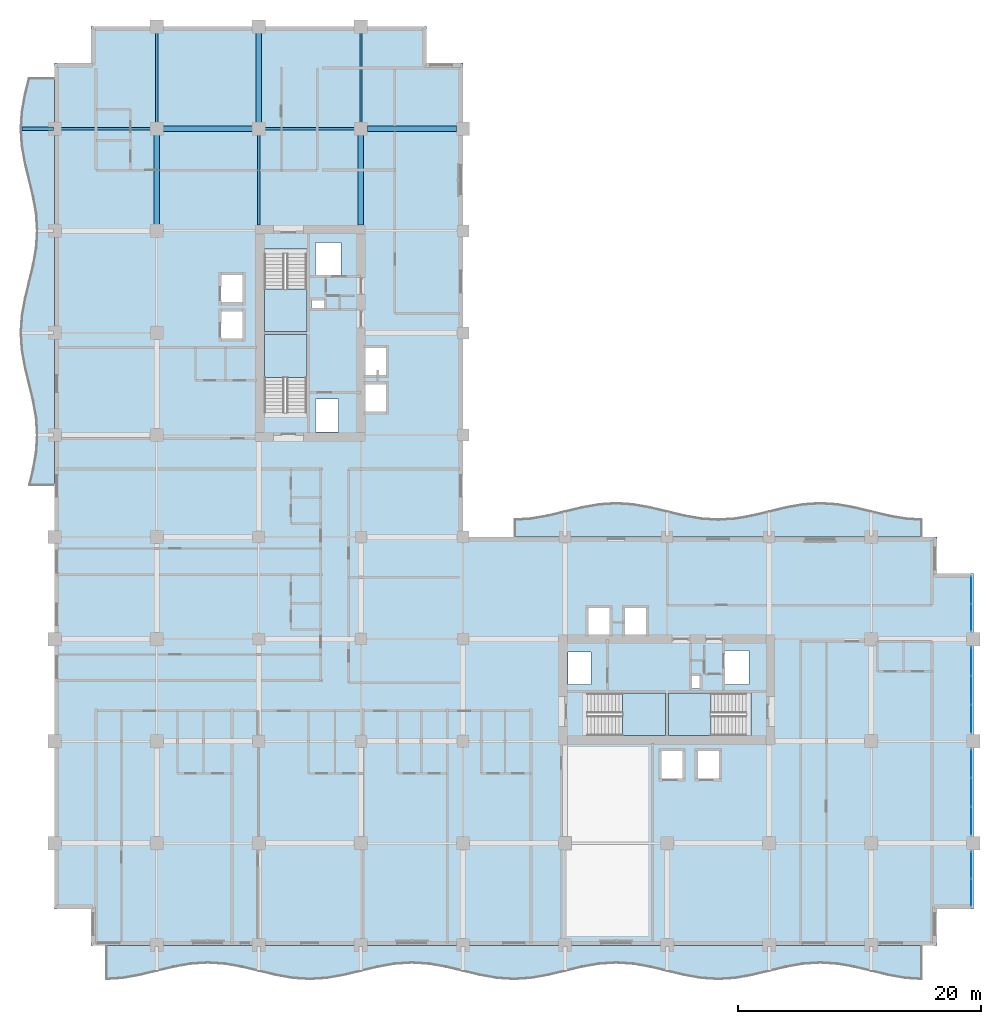
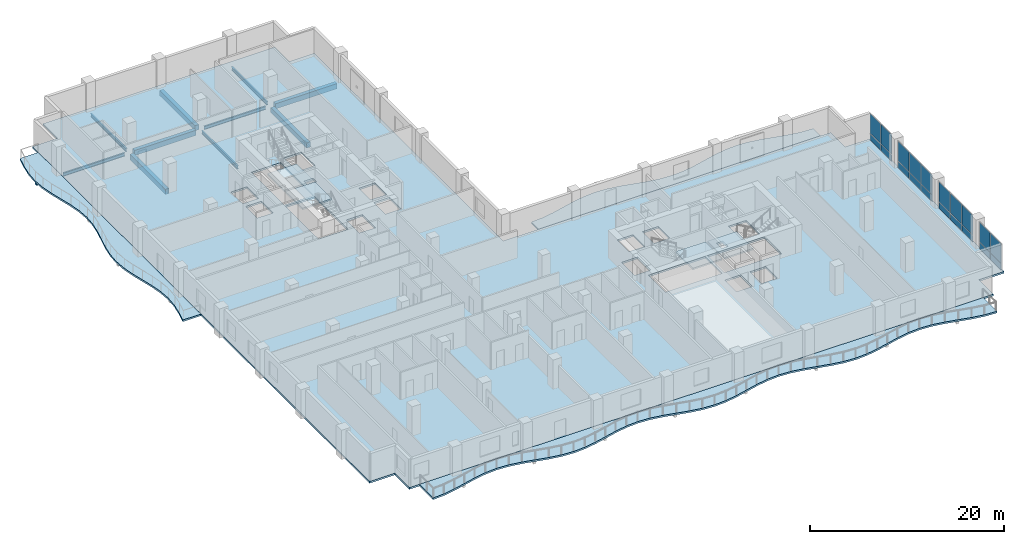
# One storey, part 8 of 22: 20 plates, 11 beams, 8 slabs, 8 elements without a shape of their own.
"""IFC4 building model written with IfcOpenShell, lengths in metres."""

from ifc_helpers import new_model, si_unit, direction, frame, origin, origin_2d, place, context, subcontext, project, spatial, polyline, rectangle, i_section, outline, extrude, material, layer, layer_set, material_profile, profile_set, type_object, element, aggregate, save


model = new_model("IFC4")

# Units and contexts
model_context = context("Model", 3, precision=1e-05, world=origin(), true_north=direction((0.0, 1.0)))
body_context = subcontext(model_context, "Body", "Model", "MODEL_VIEW")
ifc_project = project(units=[si_unit("LENGTHUNIT", "METRE"), si_unit("AREAUNIT", "SQUARE_METRE"), si_unit("VOLUMEUNIT", "CUBIC_METRE"), si_unit("PLANEANGLEUNIT", "RADIAN"), si_unit("MASSUNIT", "GRAM", prefix="KILO")], contexts=[model_context])

# Site, building, storey
site_placement = place(None, origin())
site = spatial("IfcSite", under=ifc_project, at=site_placement, CompositionType="ELEMENT")
building_placement = place(site_placement, origin())
building = spatial("IfcBuilding", under=site, at=building_placement, Name="Koriwani Terraces Tower", CompositionType="ELEMENT")
storey_placement = place(building_placement, frame((0.0, 0.0, 182.800048828125)))
storey = spatial("IfcBuildingStorey", under=building, at=storey_placement, Name="L44", CompositionType="ELEMENT", Elevation=182.800048828125)

# Beams
ifc_material_1 = material(Name="Concrete C40/50", Category="concrete")
ifc_material_profile_1 = material_profile(ifc_material_1, rectangle(XDim=0.300048828125, YDim=0.39990234375, at=origin_2d()), Name="Concrete C40/50", Category="LoadBearing")
ifc_profile_set_1 = profile_set([ifc_material_profile_1], Name="Concrete C40/50")
beam_type_1 = type_object("IfcBeamType", Name="BEAM_RC_BALCONY_RIB_300X400", PredefinedType="JOIST", material=ifc_profile_set_1)
beam_1_placement = place(storey_placement, frame((-2.699951171875, 67.199951171875, -0.429931640625), z_axis=(1.0, 0.0, 0.0), x_axis=(0.0, 1.0, 0.0)))
element("IfcBeam", 1, at=beam_1_placement, inside=storey, type_object=beam_type_1, Name="L44 Balcony Bracket Rib W-4", PredefinedType="JOIST", context=body_context, shape_type="SweptSolid", body=[
    extrude(rectangle(XDim=0.300048828125, YDim=0.39990234375, at=origin_2d()), origin(), (0.0, 0.0, 1.0), 2.599853515625),
])
ifc_material_2 = material(Name="Concrete C50/60", Category="concrete")
ifc_material_profile_2 = material_profile(ifc_material_2, rectangle(XDim=0.449951171875, YDim=0.64990234375, at=origin_2d()), Name="Concrete C50/60", Category="LoadBearing")
ifc_profile_set_2 = profile_set([ifc_material_profile_2], Name="Concrete C50/60")
beam_type_2 = type_object("IfcBeamType", Name="BEAM_RC_GRID_450X650", PredefinedType="BEAM", material=ifc_profile_set_2)
for number, where, z_axis, x_axis, name in (
    (2, (8.929931640625, 67.199951171875, -0.554931640625), (1.0, 0.0, 0.0), (0.0, 1.0, 0.0), "L44 Grid Beam I (8.4-16.8m)"),
    (3, (25.72998046875, 67.199951171875, -0.554931640625), (1.0, 0.0, 0.0), (0.0, 1.0, 0.0), "L44 Grid Beam I (25.2-33.6m)"),
):
    element("IfcBeam", number, at=place(storey_placement, frame(where, z_axis=z_axis, x_axis=x_axis)), inside=storey, type_object=beam_type_2, Name=name, PredefinedType="BEAM", context=body_context, shape_type="SweptSolid", body=[
        extrude(rectangle(XDim=0.449951171875, YDim=0.64990234375, at=origin_2d()), origin(), (0.0, 0.0, 1.0), 7.340087890625),
    ])
beam_2_placement = place(storey_placement, frame((8.39990234375, 59.330078125, -0.554931640625), z_axis=(0.0, 1.0, 0.0), x_axis=(-1.0, 0.0, 0.0)))
element("IfcBeam", 4, at=beam_2_placement, inside=storey, type_object=beam_type_2, Name="L44 Grid Beam 2 (58.8-67.2m)", PredefinedType="BEAM", context=body_context, shape_type="SweptSolid", body=[
    extrude(rectangle(XDim=0.449951171875, YDim=0.64990234375, at=origin_2d()), origin(), (0.0, 0.0, 1.0), 7.33984375),
])
beam_3_placement = place(storey_placement, frame((16.800048828125, 67.72998046875, -0.554931640625), z_axis=(0.0, 1.0, 0.0), x_axis=(-1.0, 0.0, 0.0)))
element("IfcBeam", 5, at=beam_3_placement, inside=storey, type_object=beam_type_2, Name="L44 Grid Beam 3 (67.2-75.6m)", PredefinedType="BEAM", context=body_context, shape_type="SweptSolid", body=[
    extrude(rectangle(XDim=0.449951171875, YDim=0.64990234375, at=origin_2d()), origin(), (0.0, 0.0, 1.0), 7.340087890625),
])
beam_4_placement = place(storey_placement, frame((25.199951171875, 59.280029296875, -0.554931640625), z_axis=(0.0, 1.0, 0.0), x_axis=(-1.0, 0.0, 0.0)))
element("IfcBeam", 6, at=beam_4_placement, inside=storey, type_object=beam_type_2, Name="L44 Grid Beam 4 (58.8-67.2m)", PredefinedType="BEAM", context=body_context, shape_type="SweptSolid", body=[
    extrude(rectangle(XDim=0.449951171875, YDim=0.64990234375, at=origin_2d()), origin(), (0.0, 0.0, 1.0), 7.389892578125),
])
ifc_material_3 = material(Name="Steel ASTM A572 Grade 50", Category="steel")
ifc_material_profile_3 = material_profile(ifc_material_3, i_section(OverallWidth=0.180908203125, OverallDepth=0.4169921875, WebThickness=0.010986328125, FlangeThickness=0.018310546875, at=origin_2d()), Name="Steel ASTM A572 Grade 50", Category="LoadBearing")
ifc_profile_set_3 = profile_set([ifc_material_profile_3], Name="Steel ASTM A572 Grade 50")
beam_type_3 = type_object("IfcBeamType", Name="STEEL_BEAM_W410X85", PredefinedType="JOIST", material=ifc_profile_set_3)
beam_5_placement = place(storey_placement, frame((0.530029296875, 67.199951171875, -0.4384765625), z_axis=(1.0, 0.0, 0.0), x_axis=(0.0, 1.0, 0.0)))
element("IfcBeam", 7, at=beam_5_placement, inside=storey, type_object=beam_type_3, Name="L44 Grid Beam I (0.0-8.4m)", PredefinedType="JOIST", context=body_context, shape_type="SweptSolid", body=[
    extrude(i_section(OverallWidth=0.180908203125, OverallDepth=0.4169921875, WebThickness=0.010986328125, FlangeThickness=0.018310546875, at=origin_2d()), origin(), (0.0, 0.0, 1.0), 7.340087890625),
])
beam_6_placement = place(storey_placement, frame((17.330078125, 67.199951171875, -0.4384765625), z_axis=(1.0, 0.0, 0.0), x_axis=(0.0, 1.0, 0.0)))
element("IfcBeam", 8, at=beam_6_placement, inside=storey, type_object=beam_type_3, Name="L44 Grid Beam I (16.8-25.2m)", PredefinedType="JOIST", context=body_context, shape_type="SweptSolid", body=[
    extrude(i_section(OverallWidth=0.180908203125, OverallDepth=0.4169921875, WebThickness=0.010986328125, FlangeThickness=0.018310546875, at=origin_2d()), origin(), (0.0, 0.0, 1.0), 7.33984375),
])
beam_7_placement = place(storey_placement, frame((8.39990234375, 67.72998046875, -0.4384765625), z_axis=(0.0, 1.0, 0.0), x_axis=(-1.0, 0.0, 0.0)))
element("IfcBeam", 9, at=beam_7_placement, inside=storey, type_object=beam_type_3, Name="L44 Grid Beam 2 (67.2-75.6m)", PredefinedType="JOIST", context=body_context, shape_type="SweptSolid", body=[
    extrude(i_section(OverallWidth=0.180908203125, OverallDepth=0.4169921875, WebThickness=0.010986328125, FlangeThickness=0.018310546875, at=origin_2d()), origin(), (0.0, 0.0, 1.0), 7.340087890625),
])
beam_8_placement = place(storey_placement, frame((16.800048828125, 59.280029296875, -0.4384765625), z_axis=(0.0, 1.0, 0.0), x_axis=(-1.0, 0.0, 0.0)))
element("IfcBeam", 10, at=beam_8_placement, inside=storey, type_object=beam_type_3, Name="L44 Grid Beam 3 (58.8-67.2m)", PredefinedType="JOIST", context=body_context, shape_type="SweptSolid", body=[
    extrude(i_section(OverallWidth=0.180908203125, OverallDepth=0.4169921875, WebThickness=0.010986328125, FlangeThickness=0.018310546875, at=origin_2d()), origin(), (0.0, 0.0, 1.0), 7.389892578125),
])
beam_9_placement = place(storey_placement, frame((25.199951171875, 67.72998046875, -0.4384765625), z_axis=(0.0, 1.0, 0.0), x_axis=(-1.0, 0.0, 0.0)))
element("IfcBeam", 11, at=beam_9_placement, inside=storey, type_object=beam_type_3, Name="L44 Grid Beam 4 (67.2-75.6m)", PredefinedType="JOIST", context=body_context, shape_type="SweptSolid", body=[
    extrude(i_section(OverallWidth=0.180908203125, OverallDepth=0.4169921875, WebThickness=0.010986328125, FlangeThickness=0.018310546875, at=origin_2d()), origin(), (0.0, 0.0, 1.0), 7.340087890625),
])

# Curtain wall, plates
ifc_material_4 = material(Name="Anodised Bronze Aluminium", Category="aluminium")
ifc_layer_1 = layer(ifc_material_4, 0.169921875, Name="Anodised Bronze Aluminium")
ifc_layer_set_1 = layer_set([ifc_layer_1], Name="Anodised Bronze Aluminium")
curtain_wall_type = type_object("IfcCurtainWallType", Name="CW_RES_ZONE3", PredefinedType="NOTDEFINED", material=ifc_layer_set_1)
curtain_wall_1_placement = place(storey_placement, origin())
curtain_wall_1 = element("IfcCurtainWall", 12, at=curtain_wall_1_placement, inside=storey, type_object=curtain_wall_type, Name="L44 Unitised Curtain Wall (E_TIP) Bay 1", PredefinedType="NOTDEFINED")
ifc_material_5 = material(Name="Tempered Laminated Low-E Glass", Category="glass")
ifc_layer_2 = layer(ifc_material_5, 0.028076171875, Name="Tempered Laminated Low-E Glass")
ifc_layer_set_2 = layer_set([ifc_layer_2], Name="Tempered Laminated Low-E Glass")
plate_type = type_object("IfcPlateType", Name="CW_PANEL_VISION_28", PredefinedType="CURTAIN_PANEL", material=ifc_layer_set_2)
plate_1_placement = place(storey_placement, frame((75.425048828125, 29.25244140625, 0.06494140625), z_axis=(0.0, 0.0, 1.0), x_axis=(0.0, -1.0, 0.0)))
plate_1 = element("IfcPlate", 13, at=plate_1_placement, type_object=plate_type, Name="CW-Z3 panel 1.1", PredefinedType="CURTAIN_PANEL", context=body_context, shape_type="SweptSolid", body=[
    extrude(rectangle(XDim=2.195068359375, YDim=0.028076171875, at=origin_2d()), origin(), (0.0, 0.0, 1.0), 0.802490234375),
])
plate_2_placement = place(storey_placement, frame((75.425048828125, 29.25244140625, 0.9326171875), z_axis=(0.0, 0.0, 1.0), x_axis=(0.0, -1.0, 0.0)))
plate_2 = element("IfcPlate", 14, at=plate_2_placement, type_object=plate_type, Name="CW-Z3 panel 1.2", PredefinedType="CURTAIN_PANEL", context=body_context, shape_type="SweptSolid", body=[
    extrude(rectangle(XDim=2.195068359375, YDim=0.028076171875, at=origin_2d()), origin(), (0.0, 0.0, 1.0), 2.472412109375),
])
plate_3_placement = place(storey_placement, frame((75.425048828125, 26.982421875, 0.06494140625), z_axis=(0.0, 0.0, 1.0), x_axis=(0.0, -1.0, 0.0)))
plate_3 = element("IfcPlate", 15, at=plate_3_placement, type_object=plate_type, Name="CW-Z3 panel 2.1", PredefinedType="CURTAIN_PANEL", context=body_context, shape_type="SweptSolid", body=[
    extrude(rectangle(XDim=2.195068359375, YDim=0.028076171875, at=origin_2d()), origin(), (0.0, 0.0, 1.0), 0.802490234375),
])
plate_4_placement = place(storey_placement, frame((75.425048828125, 26.982421875, 0.9326171875), z_axis=(0.0, 0.0, 1.0), x_axis=(0.0, -1.0, 0.0)))
plate_4 = element("IfcPlate", 16, at=plate_4_placement, type_object=plate_type, Name="CW-Z3 panel 2.2", PredefinedType="CURTAIN_PANEL", context=body_context, shape_type="SweptSolid", body=[
    extrude(rectangle(XDim=2.195068359375, YDim=0.028076171875, at=origin_2d()), origin(), (0.0, 0.0, 1.0), 2.472412109375),
])
aggregate(curtain_wall_1, [plate_1, plate_2, plate_3, plate_4])

curtain_wall_2_placement = place(storey_placement, origin())
curtain_wall_2 = element("IfcCurtainWall", 17, at=curtain_wall_2_placement, inside=storey, type_object=curtain_wall_type, Name="L44 Unitised Curtain Wall (E_TIP) Bay 2", PredefinedType="NOTDEFINED")
plate_5_placement = place(storey_placement, frame((75.425048828125, 23.37451171875, 0.06494140625), z_axis=(0.0, 0.0, 1.0), x_axis=(0.0, -1.0, 0.0)))
plate_5 = element("IfcPlate", 18, at=plate_5_placement, type_object=plate_type, Name="CW-Z3 panel 1.1", PredefinedType="CURTAIN_PANEL", context=body_context, shape_type="SweptSolid", body=[
    extrude(rectangle(XDim=2.28076171875, YDim=0.028076171875, at=origin_2d()), origin(), (0.0, 0.0, 1.0), 0.802490234375),
])
plate_6_placement = place(storey_placement, frame((75.425048828125, 23.37451171875, 0.9326171875), z_axis=(0.0, 0.0, 1.0), x_axis=(0.0, -1.0, 0.0)))
plate_6 = element("IfcPlate", 19, at=plate_6_placement, type_object=plate_type, Name="CW-Z3 panel 1.2", PredefinedType="CURTAIN_PANEL", context=body_context, shape_type="SweptSolid", body=[
    extrude(rectangle(XDim=2.28076171875, YDim=0.028076171875, at=origin_2d()), origin(), (0.0, 0.0, 1.0), 2.472412109375),
])
plate_7_placement = place(storey_placement, frame((75.425048828125, 21.0, 0.06494140625), z_axis=(0.0, 0.0, 1.0), x_axis=(0.0, -1.0, 0.0)))
plate_7 = element("IfcPlate", 20, at=plate_7_placement, type_object=plate_type, Name="CW-Z3 panel 2.1", PredefinedType="CURTAIN_PANEL", context=body_context, shape_type="SweptSolid", body=[
    extrude(rectangle(XDim=2.318359375, YDim=0.028076171875, at=origin_2d()), origin(), (0.0, 0.0, 1.0), 0.802490234375),
])
plate_8_placement = place(storey_placement, frame((75.425048828125, 21.0, 0.9326171875), z_axis=(0.0, 0.0, 1.0), x_axis=(0.0, -1.0, 0.0)))
plate_8 = element("IfcPlate", 21, at=plate_8_placement, type_object=plate_type, Name="CW-Z3 panel 2.2", PredefinedType="CURTAIN_PANEL", context=body_context, shape_type="SweptSolid", body=[
    extrude(rectangle(XDim=2.318359375, YDim=0.028076171875, at=origin_2d()), origin(), (0.0, 0.0, 1.0), 2.472412109375),
])
plate_9_placement = place(storey_placement, frame((75.425048828125, 18.62548828125, 0.06494140625), z_axis=(0.0, 0.0, 1.0), x_axis=(0.0, -1.0, 0.0)))
plate_9 = element("IfcPlate", 22, at=plate_9_placement, type_object=plate_type, Name="CW-Z3 panel 3.1", PredefinedType="CURTAIN_PANEL", context=body_context, shape_type="SweptSolid", body=[
    extrude(rectangle(XDim=2.28076171875, YDim=0.028076171875, at=origin_2d()), origin(), (0.0, 0.0, 1.0), 0.802490234375),
])
plate_10_placement = place(storey_placement, frame((75.425048828125, 18.62548828125, 0.9326171875), z_axis=(0.0, 0.0, 1.0), x_axis=(0.0, -1.0, 0.0)))
plate_10 = element("IfcPlate", 23, at=plate_10_placement, type_object=plate_type, Name="CW-Z3 panel 3.2", PredefinedType="CURTAIN_PANEL", context=body_context, shape_type="SweptSolid", body=[
    extrude(rectangle(XDim=2.28076171875, YDim=0.028076171875, at=origin_2d()), origin(), (0.0, 0.0, 1.0), 2.472412109375),
])
aggregate(curtain_wall_2, [plate_5, plate_6, plate_7, plate_8, plate_9, plate_10])

curtain_wall_3_placement = place(storey_placement, origin())
curtain_wall_3 = element("IfcCurtainWall", 24, at=curtain_wall_3_placement, inside=storey, type_object=curtain_wall_type, Name="L44 Unitised Curtain Wall (E_TIP) Bay 3", PredefinedType="NOTDEFINED")
plate_11_placement = place(storey_placement, frame((75.425048828125, 14.974609375, 0.06494140625), z_axis=(0.0, 0.0, 1.0), x_axis=(0.0, -1.0, 0.0)))
plate_11 = element("IfcPlate", 25, at=plate_11_placement, type_object=plate_type, Name="CW-Z3 panel 1.1", PredefinedType="CURTAIN_PANEL", context=body_context, shape_type="SweptSolid", body=[
    extrude(rectangle(XDim=2.28076171875, YDim=0.028076171875, at=origin_2d()), origin(), (0.0, 0.0, 1.0), 0.802490234375),
])
plate_12_placement = place(storey_placement, frame((75.425048828125, 14.974609375, 0.9326171875), z_axis=(0.0, 0.0, 1.0), x_axis=(0.0, -1.0, 0.0)))
plate_12 = element("IfcPlate", 26, at=plate_12_placement, type_object=plate_type, Name="CW-Z3 panel 1.2", PredefinedType="CURTAIN_PANEL", context=body_context, shape_type="SweptSolid", body=[
    extrude(rectangle(XDim=2.28076171875, YDim=0.028076171875, at=origin_2d()), origin(), (0.0, 0.0, 1.0), 2.472412109375),
])
plate_13_placement = place(storey_placement, frame((75.425048828125, 12.60009765625, 0.06494140625), z_axis=(0.0, 0.0, 1.0), x_axis=(0.0, -1.0, 0.0)))
plate_13 = element("IfcPlate", 27, at=plate_13_placement, type_object=plate_type, Name="CW-Z3 panel 2.1", PredefinedType="CURTAIN_PANEL", context=body_context, shape_type="SweptSolid", body=[
    extrude(rectangle(XDim=2.318359375, YDim=0.028076171875, at=origin_2d()), origin(), (0.0, 0.0, 1.0), 0.802490234375),
])
plate_14_placement = place(storey_placement, frame((75.425048828125, 12.60009765625, 0.9326171875), z_axis=(0.0, 0.0, 1.0), x_axis=(0.0, -1.0, 0.0)))
plate_14 = element("IfcPlate", 28, at=plate_14_placement, type_object=plate_type, Name="CW-Z3 panel 2.2", PredefinedType="CURTAIN_PANEL", context=body_context, shape_type="SweptSolid", body=[
    extrude(rectangle(XDim=2.318359375, YDim=0.028076171875, at=origin_2d()), origin(), (0.0, 0.0, 1.0), 2.472412109375),
])
plate_15_placement = place(storey_placement, frame((75.425048828125, 10.225341796875, 0.06494140625), z_axis=(0.0, 0.0, 1.0), x_axis=(0.0, -1.0, 0.0)))
plate_15 = element("IfcPlate", 29, at=plate_15_placement, type_object=plate_type, Name="CW-Z3 panel 3.1", PredefinedType="CURTAIN_PANEL", context=body_context, shape_type="SweptSolid", body=[
    extrude(rectangle(XDim=2.28076171875, YDim=0.028076171875, at=origin_2d()), origin(), (0.0, 0.0, 1.0), 0.802490234375),
])
plate_16_placement = place(storey_placement, frame((75.425048828125, 10.225341796875, 0.9326171875), z_axis=(0.0, 0.0, 1.0), x_axis=(0.0, -1.0, 0.0)))
plate_16 = element("IfcPlate", 30, at=plate_16_placement, type_object=plate_type, Name="CW-Z3 panel 3.2", PredefinedType="CURTAIN_PANEL", context=body_context, shape_type="SweptSolid", body=[
    extrude(rectangle(XDim=2.28076171875, YDim=0.028076171875, at=origin_2d()), origin(), (0.0, 0.0, 1.0), 2.472412109375),
])
aggregate(curtain_wall_3, [plate_11, plate_12, plate_13, plate_14, plate_15, plate_16])

curtain_wall_4_placement = place(storey_placement, origin())
curtain_wall_4 = element("IfcCurtainWall", 31, at=curtain_wall_4_placement, inside=storey, type_object=curtain_wall_type, Name="L44 Unitised Curtain Wall (E_TIP) Bay 4", PredefinedType="NOTDEFINED")
plate_17_placement = place(storey_placement, frame((75.425048828125, 6.617431640625, 0.06494140625), z_axis=(0.0, 0.0, 1.0), x_axis=(0.0, -1.0, 0.0)))
plate_17 = element("IfcPlate", 32, at=plate_17_placement, type_object=plate_type, Name="CW-Z3 panel 1.1", PredefinedType="CURTAIN_PANEL", context=body_context, shape_type="SweptSolid", body=[
    extrude(rectangle(XDim=2.195068359375, YDim=0.028076171875, at=origin_2d()), origin(), (0.0, 0.0, 1.0), 0.802490234375),
])
plate_18_placement = place(storey_placement, frame((75.425048828125, 6.617431640625, 0.9326171875), z_axis=(0.0, 0.0, 1.0), x_axis=(0.0, -1.0, 0.0)))
plate_18 = element("IfcPlate", 33, at=plate_18_placement, type_object=plate_type, Name="CW-Z3 panel 1.2", PredefinedType="CURTAIN_PANEL", context=body_context, shape_type="SweptSolid", body=[
    extrude(rectangle(XDim=2.195068359375, YDim=0.028076171875, at=origin_2d()), origin(), (0.0, 0.0, 1.0), 2.472412109375),
])
plate_19_placement = place(storey_placement, frame((75.425048828125, 4.347412109375, 0.06494140625), z_axis=(0.0, 0.0, 1.0), x_axis=(0.0, -1.0, 0.0)))
plate_19 = element("IfcPlate", 34, at=plate_19_placement, type_object=plate_type, Name="CW-Z3 panel 2.1", PredefinedType="CURTAIN_PANEL", context=body_context, shape_type="SweptSolid", body=[
    extrude(rectangle(XDim=2.195068359375, YDim=0.028076171875, at=origin_2d()), origin(), (0.0, 0.0, 1.0), 0.802490234375),
])
plate_20_placement = place(storey_placement, frame((75.425048828125, 4.347412109375, 0.9326171875), z_axis=(0.0, 0.0, 1.0), x_axis=(0.0, -1.0, 0.0)))
plate_20 = element("IfcPlate", 35, at=plate_20_placement, type_object=plate_type, Name="CW-Z3 panel 2.2", PredefinedType="CURTAIN_PANEL", context=body_context, shape_type="SweptSolid", body=[
    extrude(rectangle(XDim=2.195068359375, YDim=0.028076171875, at=origin_2d()), origin(), (0.0, 0.0, 1.0), 2.472412109375),
])
aggregate(curtain_wall_4, [plate_17, plate_18, plate_19, plate_20])

# Slabs
ifc_layer_3 = layer(ifc_material_1, 0.219970703125, Name="Concrete C40/50")
ifc_layer_set_3 = layer_set([ifc_layer_3], Name="Concrete C40/50")
slab_type_1 = type_object("IfcSlabType", Name="SLAB_BALCONY_220", PredefinedType="FLOOR", material=ifc_layer_set_3)
slab_1_placement = place(storey_placement, frame((0.0, 0.0, -0.219970703125)))
element("IfcSlab", 36, at=slab_1_placement, inside=storey, type_object=slab_type_1, Name="L44 Quilted Circular-Arc Balcony (S)", PredefinedType="FLOOR", context=body_context, shape_type="SweptSolid", body=[
    extrude(outline(polyline([(4.199951171875, 0.0), (5.60009765625, 0.0), (7.0, 0.0), (8.39990234375, 0.0), (9.800048828125, 0.0), (11.199951171875, 0.0), (12.60009765625, 0.0), (14.0, 0.0), (15.39990234375, 0.0), (16.800048828125, 0.0), (18.199951171875, 0.0), (19.60009765625, 0.0), (21.0, 0.0), (22.39990234375, 0.0), (23.800048828125, 0.0), (25.199951171875, 0.0), (26.60009765625, 0.0), (28.0, 0.0), (29.39990234375, 0.0), (30.800048828125, 0.0), (32.199951171875, 0.0), (33.60009765625, 0.0), (35.0, 0.0), (36.39990234375, 0.0), (37.800048828125, 0.0), (39.199951171875, 0.0), (40.60009765625, 0.0), (42.0, 0.0), (43.39990234375, 0.0), (44.800048828125, 0.0), (46.199951171875, 0.0), (47.60009765625, 0.0), (49.0, 0.0), (50.39990234375, 0.0), (51.800048828125, 0.0), (53.199951171875, 0.0), (54.60009765625, 0.0), (56.0, 0.0), (57.39990234375, 0.0), (58.800048828125, 0.0), (60.199951171875, 0.0), (61.60009765625, 0.0), (63.0, 0.0), (64.39990234375, 0.0), (65.800048828125, 0.0), (67.199951171875, 0.0), (68.60009765625, 0.0), (70.0, 0.0), (71.39990234375, 0.0), (71.39990234375, -2.85009765625), (70.0, -2.759521484375), (68.60009765625, -2.512451171875), (67.199951171875, -2.175048828125), (65.800048828125, -1.83740234375), (64.39990234375, -1.59033203125), (63.0, -1.5), (61.60009765625, -1.59033203125), (60.199951171875, -1.83740234375), (58.800048828125, -2.175048828125), (57.39990234375, -2.512451171875), (56.0, -2.759521484375), (54.60009765625, -2.85009765625), (53.199951171875, -2.759521484375), (51.800048828125, -2.512451171875), (50.39990234375, -2.175048828125), (49.0, -1.83740234375), (47.60009765625, -1.59033203125), (46.199951171875, -1.5), (44.800048828125, -1.59033203125), (43.39990234375, -1.83740234375), (42.0, -2.175048828125), (40.60009765625, -2.512451171875), (39.199951171875, -2.759521484375), (37.800048828125, -2.85009765625), (36.39990234375, -2.759521484375), (35.0, -2.512451171875), (33.60009765625, -2.175048828125), (32.199951171875, -1.83740234375), (30.800048828125, -1.59033203125), (29.39990234375, -1.5), (28.0, -1.59033203125), (26.60009765625, -1.83740234375), (25.199951171875, -2.175048828125), (23.800048828125, -2.512451171875), (22.39990234375, -2.759521484375), (21.0, -2.85009765625), (19.60009765625, -2.759521484375), (18.199951171875, -2.512451171875), (16.800048828125, -2.175048828125), (15.39990234375, -1.83740234375), (14.0, -1.59033203125), (12.60009765625, -1.5), (11.199951171875, -1.59033203125), (9.800048828125, -1.83740234375), (8.39990234375, -2.175048828125), (7.0, -2.512451171875), (5.60009765625, -2.759521484375), (4.199951171875, -2.85009765625), (4.199951171875, 0.0)])), origin(), (0.0, 0.0, 1.0), 0.219970703125),
])
slab_2_placement = place(storey_placement, frame((0.0, 0.0, -0.219970703125)))
element("IfcSlab", 37, at=slab_2_placement, inside=storey, type_object=slab_type_1, Name="L44 Quilted Circular-Arc Balcony (W)", PredefinedType="FLOOR", context=body_context, shape_type="SweptSolid", body=[
    extrude(outline(polyline([(0.0, 37.800048828125), (0.0, 39.199951171875), (0.0, 40.60009765625), (0.0, 42.0), (0.0, 43.39990234375), (0.0, 44.800048828125), (0.0, 46.199951171875), (0.0, 47.60009765625), (0.0, 49.0), (0.0, 50.39990234375), (0.0, 51.800048828125), (0.0, 53.199951171875), (0.0, 54.60009765625), (0.0, 56.0), (0.0, 57.39990234375), (0.0, 58.800048828125), (0.0, 60.199951171875), (0.0, 61.60009765625), (0.0, 63.0), (0.0, 64.39990234375), (0.0, 65.800048828125), (0.0, 67.199951171875), (0.0, 68.60009765625), (0.0, 70.0), (0.0, 71.39990234375), (-2.175048828125, 71.39990234375), (-2.512451171875, 70.0), (-2.759521484375, 68.60009765625), (-2.85009765625, 67.199951171875), (-2.759521484375, 65.800048828125), (-2.512451171875, 64.39990234375), (-2.175048828125, 63.0), (-1.83740234375, 61.60009765625), (-1.59033203125, 60.199951171875), (-1.5, 58.800048828125), (-1.59033203125, 57.39990234375), (-1.83740234375, 56.0), (-2.175048828125, 54.60009765625), (-2.512451171875, 53.199951171875), (-2.759521484375, 51.800048828125), (-2.85009765625, 50.39990234375), (-2.759521484375, 49.0), (-2.512451171875, 47.60009765625), (-2.175048828125, 46.199951171875), (-1.83740234375, 44.800048828125), (-1.59033203125, 43.39990234375), (-1.5, 42.0), (-1.59033203125, 40.60009765625), (-1.83740234375, 39.199951171875), (-2.175048828125, 37.800048828125), (0.0, 37.800048828125)])), origin(), (0.0, 0.0, 1.0), 0.219970703125),
])
slab_3_placement = place(storey_placement, frame((0.0, 0.0, -0.219970703125)))
element("IfcSlab", 38, at=slab_3_placement, inside=storey, type_object=slab_type_1, Name="L44 Quilted Circular-Arc Balcony (NE)", PredefinedType="FLOOR", context=body_context, shape_type="SweptSolid", body=[
    extrude(outline(polyline([(71.39990234375, 33.60009765625), (70.0, 33.60009765625), (68.60009765625, 33.60009765625), (67.199951171875, 33.60009765625), (65.800048828125, 33.60009765625), (64.39990234375, 33.60009765625), (63.0, 33.60009765625), (61.60009765625, 33.60009765625), (60.199951171875, 33.60009765625), (58.800048828125, 33.60009765625), (57.39990234375, 33.60009765625), (56.0, 33.60009765625), (54.60009765625, 33.60009765625), (53.199951171875, 33.60009765625), (51.800048828125, 33.60009765625), (50.39990234375, 33.60009765625), (49.0, 33.60009765625), (47.60009765625, 33.60009765625), (46.199951171875, 33.60009765625), (44.800048828125, 33.60009765625), (43.39990234375, 33.60009765625), (42.0, 33.60009765625), (40.60009765625, 33.60009765625), (39.199951171875, 33.60009765625), (37.800048828125, 33.60009765625), (37.800048828125, 35.10009765625), (39.199951171875, 35.1904296875), (40.60009765625, 35.4375), (42.0, 35.77490234375), (43.39990234375, 36.112548828125), (44.800048828125, 36.359619140625), (46.199951171875, 36.449951171875), (47.60009765625, 36.359619140625), (49.0, 36.112548828125), (50.39990234375, 35.77490234375), (51.800048828125, 35.4375), (53.199951171875, 35.1904296875), (54.60009765625, 35.10009765625), (56.0, 35.1904296875), (57.39990234375, 35.4375), (58.800048828125, 35.77490234375), (60.199951171875, 36.112548828125), (61.60009765625, 36.359619140625), (63.0, 36.449951171875), (64.39990234375, 36.359619140625), (65.800048828125, 36.112548828125), (67.199951171875, 35.77490234375), (68.60009765625, 35.4375), (70.0, 35.1904296875), (71.39990234375, 35.10009765625), (71.39990234375, 33.60009765625)])), origin(), (0.0, 0.0, 1.0), 0.219970703125),
])
ifc_layer_4 = layer(ifc_material_1, 0.22998046875, Name="Concrete C40/50")
ifc_layer_set_4 = layer_set([ifc_layer_4], Name="Concrete C40/50")
slab_type_2 = type_object("IfcSlabType", Name="SLAB_RES_TYP_230", PredefinedType="FLOOR", material=ifc_layer_set_4)
slab_4_placement = place(storey_placement, frame((0.0, 0.0, -0.22998046875)))
element("IfcSlab", 39, at=slab_4_placement, inside=storey, type_object=slab_type_2, Name="L44 Structural Floor Slab", PredefinedType="FLOOR", context=body_context, shape_type="SweptSolid", body=[
    extrude(outline(polyline([(3.0, 0.0), (72.60009765625, 0.0), (72.60009765625, 3.0), (75.60009765625, 3.0), (75.60009765625, 30.60009765625), (72.60009765625, 30.60009765625), (72.60009765625, 33.60009765625), (33.60009765625, 33.60009765625), (33.60009765625, 72.60009765625), (30.60009765625, 72.60009765625), (30.60009765625, 75.60009765625), (3.0, 75.60009765625), (3.0, 72.60009765625), (0.0, 72.60009765625), (0.0, 3.0), (3.0, 3.0), (3.0, 0.0)]), holes=[polyline([(17.25, 43.4599609375), (20.75, 43.4599609375), (20.75, 50.25), (17.25, 50.25), (17.25, 43.4599609375)]), polyline([(17.25, 50.5), (20.75, 50.5), (20.75, 57.2900390625), (17.25, 57.2900390625), (17.25, 50.5)]), polyline([(43.4599609375, 17.25), (50.25, 17.25), (50.25, 20.75), (43.4599609375, 20.75), (43.4599609375, 17.25)]), polyline([(50.5, 17.25), (57.2900390625, 17.25), (57.2900390625, 20.75), (50.5, 20.75), (50.5, 17.25)]), polyline([(13.64990234375, 49.85009765625), (15.550048828125, 49.85009765625), (15.550048828125, 52.25), (13.64990234375, 52.25), (13.64990234375, 49.85009765625)]), polyline([(13.64990234375, 52.85009765625), (15.550048828125, 52.85009765625), (15.550048828125, 55.25), (13.64990234375, 55.25), (13.64990234375, 52.85009765625)]), polyline([(49.85009765625, 13.64990234375), (51.75, 13.64990234375), (51.75, 16.050048828125), (49.85009765625, 16.050048828125), (49.85009765625, 13.64990234375)]), polyline([(52.85009765625, 13.64990234375), (54.75, 13.64990234375), (54.75, 16.050048828125), (52.85009765625, 16.050048828125), (52.85009765625, 13.64990234375)]), polyline([(25.449951171875, 43.85009765625), (27.35009765625, 43.85009765625), (27.35009765625, 46.25), (25.449951171875, 46.25), (25.449951171875, 43.85009765625)]), polyline([(25.449951171875, 46.85009765625), (27.35009765625, 46.85009765625), (27.35009765625, 49.25), (25.449951171875, 49.25), (25.449951171875, 46.85009765625)]), polyline([(43.85009765625, 25.449951171875), (45.75, 25.449951171875), (45.75, 27.85009765625), (43.85009765625, 27.85009765625), (43.85009765625, 25.449951171875)]), polyline([(46.85009765625, 25.449951171875), (48.75, 25.449951171875), (48.75, 27.85009765625), (46.85009765625, 27.85009765625), (46.85009765625, 25.449951171875)]), polyline([(21.449951171875, 55.050048828125), (23.550048828125, 55.050048828125), (23.550048828125, 57.85009765625), (21.449951171875, 57.85009765625), (21.449951171875, 55.050048828125)]), polyline([(55.050048828125, 21.449951171875), (57.14990234375, 21.449951171875), (57.14990234375, 24.25), (55.050048828125, 24.25), (55.050048828125, 21.449951171875)]), polyline([(21.449951171875, 42.25), (23.35009765625, 42.25), (23.35009765625, 44.949951171875), (21.449951171875, 44.949951171875), (21.449951171875, 42.25)]), polyline([(42.25, 21.449951171875), (44.14990234375, 21.449951171875), (44.14990234375, 24.14990234375), (42.25, 24.14990234375), (42.25, 21.449951171875)]), polyline([(21.14990234375, 52.419921875), (22.219970703125, 52.419921875), (22.219970703125, 53.179931640625), (21.14990234375, 53.179931640625), (21.14990234375, 52.419921875)]), polyline([(52.419921875, 21.14990234375), (53.179931640625, 21.14990234375), (53.179931640625, 22.219970703125), (52.419921875, 22.219970703125), (52.419921875, 21.14990234375)])]), origin(), (0.0, 0.0, 1.0), 0.22998046875),
])

# Stair, slab
stair_type = type_object("IfcStairType", Name="STAIR_CORE_DOGLEG_1650", PredefinedType="TWO_STRAIGHT_RUN_STAIR", material=ifc_material_1)
stair_1_placement = place(storey_placement, origin())
stair_1 = element("IfcStair", 40, at=stair_1_placement, inside=storey, type_object=stair_type, Name="L44 West Core Exit Stair 1", PredefinedType="HALF_TURN_STAIR")
ifc_layer_5 = layer(ifc_material_1, 0.199951171875, Name="Concrete C40/50")
ifc_layer_set_5 = layer_set([ifc_layer_5], Name="Concrete C40/50")
slab_type_3 = type_object("IfcSlabType", Name="SLAB_STAIR_LANDING_200", PredefinedType="LANDING", material=ifc_layer_set_5)
slab_5_placement = place(storey_placement, frame((0.0, 0.0, 1.64990234375)))
slab_5 = element("IfcSlab", 41, at=slab_5_placement, type_object=slab_type_3, Name="ST-W1 landing 1", PredefinedType="LANDING", context=body_context, shape_type="SweptSolid", body=[
    extrude(outline(polyline([(20.75, 46.75), (20.75, 50.25), (17.25, 50.25), (17.25, 46.75), (20.75, 46.75)])), origin(), (0.0, 0.0, 1.0), 0.199951171875),
])
aggregate(stair_1, [slab_5])

stair_2_placement = place(storey_placement, origin())
stair_2 = element("IfcStair", 42, at=stair_2_placement, inside=storey, type_object=stair_type, Name="L44 West Core Exit Stair 2", PredefinedType="HALF_TURN_STAIR")
slab_6_placement = place(storey_placement, frame((0.0, 0.0, 1.64990234375)))
slab_6 = element("IfcSlab", 43, at=slab_6_placement, type_object=slab_type_3, Name="ST-W2 landing 1", PredefinedType="LANDING", context=body_context, shape_type="SweptSolid", body=[
    extrude(outline(polyline([(17.25, 54.0), (17.25, 50.5), (20.75, 50.5), (20.75, 54.0), (17.25, 54.0)])), origin(), (0.0, 0.0, 1.0), 0.199951171875),
])
aggregate(stair_2, [slab_6])

stair_3_placement = place(storey_placement, origin())
stair_3 = element("IfcStair", 44, at=stair_3_placement, inside=storey, type_object=stair_type, Name="L44 East Core Exit Stair 1", PredefinedType="HALF_TURN_STAIR")
slab_7_placement = place(storey_placement, frame((0.0, 0.0, 1.64990234375)))
slab_7 = element("IfcSlab", 45, at=slab_7_placement, type_object=slab_type_3, Name="ST-E1 landing 1", PredefinedType="LANDING", context=body_context, shape_type="SweptSolid", body=[
    extrude(outline(polyline([(46.75, 17.25), (50.25, 17.25), (50.25, 20.75), (46.75, 20.75), (46.75, 17.25)])), origin(), (0.0, 0.0, 1.0), 0.199951171875),
])
aggregate(stair_3, [slab_7])

stair_4_placement = place(storey_placement, origin())
stair_4 = element("IfcStair", 46, at=stair_4_placement, inside=storey, type_object=stair_type, Name="L44 East Core Exit Stair 2", PredefinedType="HALF_TURN_STAIR")
slab_8_placement = place(storey_placement, frame((0.0, 0.0, 1.64990234375)))
slab_8 = element("IfcSlab", 47, at=slab_8_placement, type_object=slab_type_3, Name="ST-E2 landing 1", PredefinedType="LANDING", context=body_context, shape_type="SweptSolid", body=[
    extrude(outline(polyline([(54.0, 20.75), (50.5, 20.75), (50.5, 17.25), (54.0, 17.25), (54.0, 20.75)])), origin(), (0.0, 0.0, 1.0), 0.199951171875),
])
aggregate(stair_4, [slab_8])

save(model, "model.ifc")
